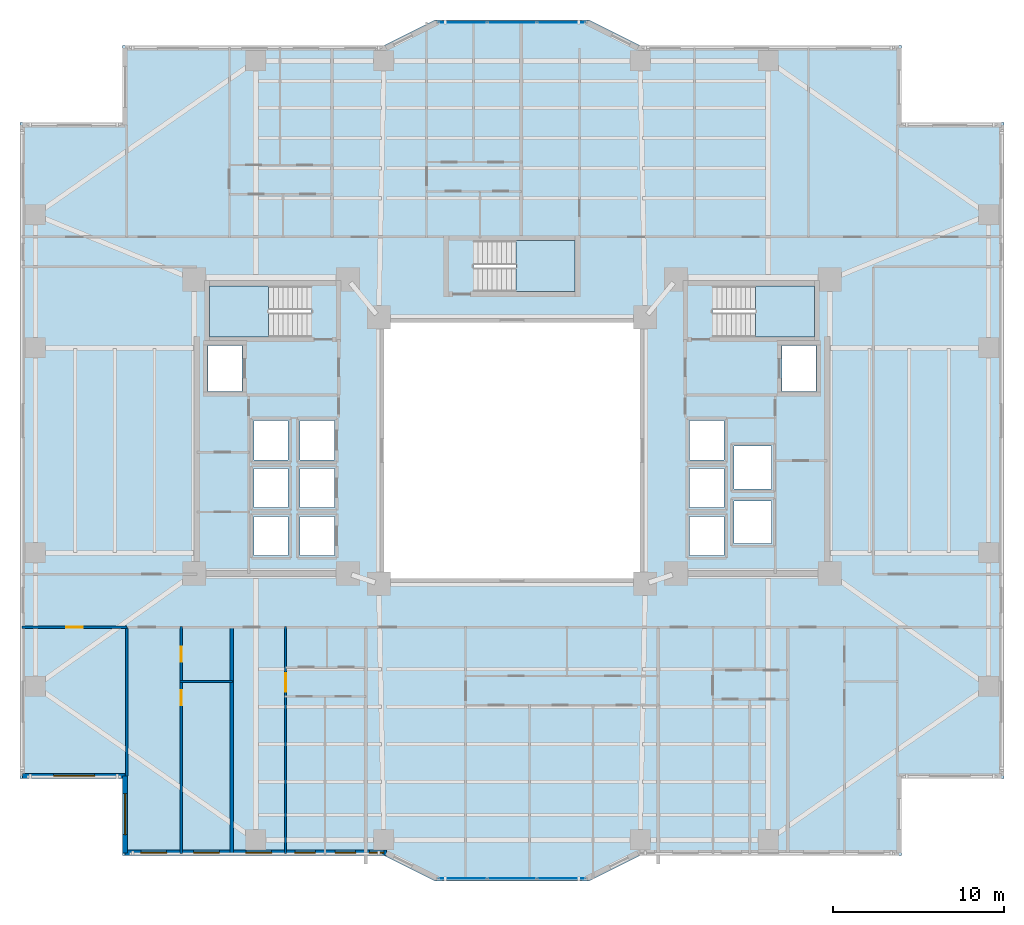
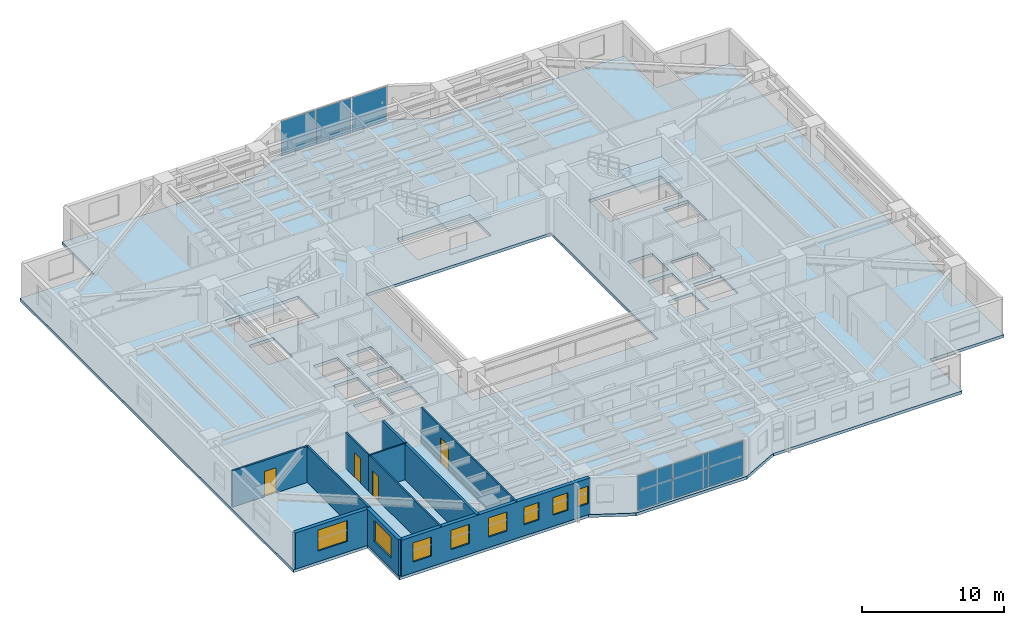
# One storey, part 9 of 21: 10 walls, 8 windows, 6 plates, 4 doors, 4 slabs, 12 openings, 5 elements without a shape of their own.
"""IFC4 building model written with IfcOpenShell, lengths in metres."""

from ifc_helpers import new_model, si_unit, direction, frame, frame_2d, origin, origin_2d, place, context, subcontext, project, spatial, polyline, rectangle, outline, extrude, material, layer, layer_set, type_object, element, fill, aggregate, save


model = new_model("IFC4")

# Units and contexts
model_context = context("Model", 3, precision=1e-05, world=origin(), true_north=direction((0.0, 1.0)))
body_context = subcontext(model_context, "Body", "Model", "MODEL_VIEW")
ifc_project = project(units=[si_unit("LENGTHUNIT", "METRE"), si_unit("AREAUNIT", "SQUARE_METRE"), si_unit("VOLUMEUNIT", "CUBIC_METRE"), si_unit("PLANEANGLEUNIT", "RADIAN"), si_unit("MASSUNIT", "GRAM", prefix="KILO")], contexts=[model_context])

# Site, building, storey
site_placement = place(None, origin())
site = spatial("IfcSite", under=ifc_project, at=site_placement, CompositionType="ELEMENT")
building_placement = place(site_placement, origin())
building = spatial("IfcBuilding", under=site, at=building_placement, Name="Tarnavaz Court Tower", CompositionType="ELEMENT")
storey_placement = place(building_placement, frame((0.0, 0.0, 40.75)))
storey = spatial("IfcBuildingStorey", under=building, at=storey_placement, Name="L10", CompositionType="ELEMENT", Elevation=40.75)

# Curtain wall, plates
ifc_material_1 = material(Name="Anodised Aluminium 6063-T6 and Solar Low-E Glazing", Category="aluminium")
ifc_layer_1 = layer(ifc_material_1, 0.179931640625)
ifc_layer_set_1 = layer_set([ifc_layer_1], Name="Anodised Aluminium 6063-T6 and Solar Low-E Glazing")
curtain_wall_type = type_object("IfcCurtainWallType", Name="CW-SYS-02", PredefinedType="NOTDEFINED", material=ifc_layer_set_1)
curtain_wall_1_placement = place(storey_placement, origin())
curtain_wall_1 = element("IfcCurtainWall", 1, at=curtain_wall_1_placement, inside=storey, type_object=curtain_wall_type, Name="L10 Iwan Prow Curtain Wall 7", PredefinedType="NOTDEFINED")
ifc_material_2 = material(Name="Double-Glazed Solar Low-E Glass", Category="glass")
ifc_layer_2 = layer(ifc_material_2, 0.028076171875)
ifc_layer_set_2 = layer_set([ifc_layer_2], Name="Double-Glazed Solar Low-E Glass")
plate_type = type_object("IfcPlateType", Name="CW-PAN-GLZ28", PredefinedType="CURTAIN_PANEL", material=ifc_layer_set_2)
plate_1_placement = place(storey_placement, frame((-2.88134765625, 25.050048828125, 0.06494140625), z_axis=(0.0, 0.0, 1.0), x_axis=(1.0, 0.0, 0.0)))
plate_1 = element("IfcPlate", 2, at=plate_1_placement, type_object=plate_type, Name="CW panel 1.1", PredefinedType="CURTAIN_PANEL", context=body_context, shape_type="SweptSolid", body=[
    extrude(rectangle(XDim=2.78759765625, YDim=0.028076171875, at=origin_2d()), origin(), (0.0, 0.0, 1.0), 2.969970703125),
])
plate_2_placement = place(storey_placement, frame((0.0, 25.050048828125, 0.06494140625), z_axis=(0.0, 0.0, 1.0), x_axis=(1.0, 0.0, 0.0)))
plate_2 = element("IfcPlate", 3, at=plate_2_placement, type_object=plate_type, Name="CW panel 2.1", PredefinedType="CURTAIN_PANEL", context=body_context, shape_type="SweptSolid", body=[
    extrude(rectangle(XDim=2.824951171875, YDim=0.028076171875, at=origin_2d()), origin(), (0.0, 0.0, 1.0), 2.969970703125),
])
plate_3_placement = place(storey_placement, frame((2.88134765625, 25.050048828125, 0.06494140625), z_axis=(0.0, 0.0, 1.0), x_axis=(1.0, 0.0, 0.0)))
plate_3 = element("IfcPlate", 4, at=plate_3_placement, type_object=plate_type, Name="CW panel 3.1", PredefinedType="CURTAIN_PANEL", context=body_context, shape_type="SweptSolid", body=[
    extrude(rectangle(XDim=2.78759765625, YDim=0.028076171875, at=origin_2d()), origin(), (0.0, 0.0, 1.0), 2.969970703125),
])
aggregate(curtain_wall_1, [plate_1, plate_2, plate_3])

curtain_wall_2_placement = place(storey_placement, origin())
curtain_wall_2 = element("IfcCurtainWall", 5, at=curtain_wall_2_placement, inside=storey, type_object=curtain_wall_type, Name="L10 Iwan Prow Curtain Wall 17", PredefinedType="NOTDEFINED")
plate_4_placement = place(storey_placement, frame((2.88134765625, -25.050048828125, 0.06494140625), z_axis=(0.0, 0.0, 1.0), x_axis=(-1.0, 0.0, 0.0)))
plate_4 = element("IfcPlate", 6, at=plate_4_placement, type_object=plate_type, Name="CW panel 1.1", PredefinedType="CURTAIN_PANEL", context=body_context, shape_type="SweptSolid", body=[
    extrude(rectangle(XDim=2.78759765625, YDim=0.028076171875, at=origin_2d()), origin(), (0.0, 0.0, 1.0), 2.969970703125),
])
plate_5_placement = place(storey_placement, frame((0.0, -25.050048828125, 0.06494140625), z_axis=(0.0, 0.0, 1.0), x_axis=(-1.0, 0.0, 0.0)))
plate_5 = element("IfcPlate", 7, at=plate_5_placement, type_object=plate_type, Name="CW panel 2.1", PredefinedType="CURTAIN_PANEL", context=body_context, shape_type="SweptSolid", body=[
    extrude(rectangle(XDim=2.824951171875, YDim=0.028076171875, at=origin_2d()), origin(), (0.0, 0.0, 1.0), 2.969970703125),
])
plate_6_placement = place(storey_placement, frame((-2.88134765625, -25.050048828125, 0.06494140625), z_axis=(0.0, 0.0, 1.0), x_axis=(-1.0, 0.0, 0.0)))
plate_6 = element("IfcPlate", 8, at=plate_6_placement, type_object=plate_type, Name="CW panel 3.1", PredefinedType="CURTAIN_PANEL", context=body_context, shape_type="SweptSolid", body=[
    extrude(rectangle(XDim=2.78759765625, YDim=0.028076171875, at=origin_2d()), origin(), (0.0, 0.0, 1.0), 2.969970703125),
])
aggregate(curtain_wall_2, [plate_4, plate_5, plate_6])

# Stair, slab
ifc_material_3 = material(Name="Concrete C40/50", Category="concrete")
stair_type = type_object("IfcStairType", Name="ST-TWR-20R", PredefinedType="HALF_TURN_STAIR", material=ifc_material_3)
stair_1_placement = place(storey_placement, origin())
stair_1 = element("IfcStair", 9, at=stair_1_placement, inside=storey, type_object=stair_type, Name="L10 West Core Pressurized Exit Stair ST-W1", PredefinedType="HALF_TURN_STAIR")
ifc_layer_3 = layer(ifc_material_3, 0.199951171875)
ifc_layer_set_3 = layer_set([ifc_layer_3], Name="Concrete C40/50")
slab_type_1 = type_object("IfcSlabType", Name="SL-LAND-200", PredefinedType="LANDING", material=ifc_layer_set_3)
slab_1_placement = place(storey_placement, frame((0.0, 0.0, 1.47509765625)))
slab_1 = element("IfcSlab", 10, at=slab_1_placement, type_object=slab_type_1, Name="ST-W1 landing 1", PredefinedType="LANDING", context=body_context, shape_type="SweptSolid", body=[
    extrude(outline(polyline([(-14.239990234375, 9.639892578125), (-17.699951171875, 9.639892578125), (-17.699951171875, 6.64990234375), (-14.239990234375, 6.64990234375), (-14.239990234375, 9.639892578125)])), origin(), (0.0, 0.0, 1.0), 0.199951171875),
])
aggregate(stair_1, [slab_1])

stair_2_placement = place(storey_placement, origin())
stair_2 = element("IfcStair", 11, at=stair_2_placement, inside=storey, type_object=stair_type, Name="L10 East Core Pressurized Exit Stair ST-E1", PredefinedType="HALF_TURN_STAIR")
slab_2_placement = place(storey_placement, frame((0.0, 0.0, 1.47509765625)))
slab_2 = element("IfcSlab", 12, at=slab_2_placement, type_object=slab_type_1, Name="ST-E1 landing 1", PredefinedType="LANDING", context=body_context, shape_type="SweptSolid", body=[
    extrude(outline(polyline([(14.239990234375, 6.64990234375), (17.699951171875, 6.64990234375), (17.699951171875, 9.639892578125), (14.239990234375, 9.639892578125), (14.239990234375, 6.64990234375)])), origin(), (0.0, 0.0, 1.0), 0.199951171875),
])
aggregate(stair_2, [slab_2])

stair_3_placement = place(storey_placement, origin())
stair_3 = element("IfcStair", 13, at=stair_3_placement, inside=storey, type_object=stair_type, Name="L10 North Ring Pressurized Exit Stair ST-N1", PredefinedType="HALF_TURN_STAIR")
slab_3_placement = place(storey_placement, frame((0.0, 0.0, 1.47509765625)))
slab_3 = element("IfcSlab", 14, at=slab_3_placement, type_object=slab_type_1, Name="ST-N1 landing 1", PredefinedType="LANDING", context=body_context, shape_type="SweptSolid", body=[
    extrude(outline(polyline([(0.239990234375, 9.300048828125), (3.699951171875, 9.300048828125), (3.699951171875, 12.2900390625), (0.239990234375, 12.2900390625), (0.239990234375, 9.300048828125)])), origin(), (0.0, 0.0, 1.0), 0.199951171875),
])
aggregate(stair_3, [slab_3])

# Slab
ifc_layer_4 = layer(ifc_material_3, 0.25)
ifc_layer_set_4 = layer_set([ifc_layer_4], Name="Concrete C40/50")
slab_type_2 = type_object("IfcSlabType", Name="SL-RES-250", PredefinedType="FLOOR", material=ifc_layer_set_4)
slab_4_placement = place(storey_placement, frame((0.0, 0.0, -0.25)))
element("IfcSlab", 15, at=slab_4_placement, inside=storey, type_object=slab_type_2, Name="L10 Structural Floor Slab", PredefinedType="FLOOR", context=body_context, shape_type="SweptSolid", body=[
    extrude(outline(polyline([(-22.800048828125, -23.699951171875), (-7.5, -23.699951171875), (-4.5, -25.199951171875), (4.5, -25.199951171875), (7.5, -23.699951171875), (22.800048828125, -23.699951171875), (22.800048828125, -19.199951171875), (28.800048828125, -19.199951171875), (28.800048828125, 19.199951171875), (22.800048828125, 19.199951171875), (22.800048828125, 23.699951171875), (7.5, 23.699951171875), (4.5, 25.199951171875), (-4.5, 25.199951171875), (-7.5, 23.699951171875), (-22.800048828125, 23.699951171875), (-22.800048828125, 19.199951171875), (-28.800048828125, 19.199951171875), (-28.800048828125, -19.199951171875), (-22.800048828125, -19.199951171875), (-22.800048828125, -23.699951171875)]), holes=[polyline([(-7.5, -7.5), (7.5, -7.5), (7.5, 7.5), (-7.5, 7.5), (-7.5, -7.5)]), polyline([(-11.7451171875, 9.639892578125), (-17.699951171875, 9.639892578125), (-17.699951171875, 6.64990234375), (-11.7451171875, 6.64990234375), (-11.7451171875, 9.639892578125)]), polyline([(11.7451171875, 6.64990234375), (17.699951171875, 6.64990234375), (17.699951171875, 9.639892578125), (11.7451171875, 9.639892578125), (11.7451171875, 6.64990234375)]), polyline([(-2.2548828125, 9.300048828125), (3.699951171875, 9.300048828125), (3.699951171875, 12.2900390625), (-2.2548828125, 12.2900390625), (-2.2548828125, 9.300048828125)]), polyline([(-17.800048828125, 3.449951171875), (-15.800048828125, 3.449951171875), (-15.800048828125, 6.14990234375), (-17.800048828125, 6.14990234375), (-17.800048828125, 3.449951171875)]), polyline([(-12.39990234375, -6.14990234375), (-10.39990234375, -6.14990234375), (-10.39990234375, -3.85009765625), (-12.39990234375, -3.85009765625), (-12.39990234375, -6.14990234375)]), polyline([(-12.39990234375, -3.35009765625), (-10.39990234375, -3.35009765625), (-10.39990234375, -1.050048828125), (-12.39990234375, -1.050048828125), (-12.39990234375, -3.35009765625)]), polyline([(-12.39990234375, -0.550048828125), (-10.39990234375, -0.550048828125), (-10.39990234375, 1.75), (-12.39990234375, 1.75), (-12.39990234375, -0.550048828125)]), polyline([(-15.10009765625, -6.14990234375), (-13.10009765625, -6.14990234375), (-13.10009765625, -3.85009765625), (-15.10009765625, -3.85009765625), (-15.10009765625, -6.14990234375)]), polyline([(-15.10009765625, -3.35009765625), (-13.10009765625, -3.35009765625), (-13.10009765625, -1.050048828125), (-15.10009765625, -1.050048828125), (-15.10009765625, -3.35009765625)]), polyline([(-15.10009765625, -0.550048828125), (-13.10009765625, -0.550048828125), (-13.10009765625, 1.75), (-15.10009765625, 1.75), (-15.10009765625, -0.550048828125)]), polyline([(15.800048828125, 3.449951171875), (17.800048828125, 3.449951171875), (17.800048828125, 6.14990234375), (15.800048828125, 6.14990234375), (15.800048828125, 3.449951171875)]), polyline([(10.39990234375, -6.14990234375), (12.39990234375, -6.14990234375), (12.39990234375, -3.85009765625), (10.39990234375, -3.85009765625), (10.39990234375, -6.14990234375)]), polyline([(10.39990234375, -3.35009765625), (12.39990234375, -3.35009765625), (12.39990234375, -1.050048828125), (10.39990234375, -1.050048828125), (10.39990234375, -3.35009765625)]), polyline([(10.39990234375, -0.550048828125), (12.39990234375, -0.550048828125), (12.39990234375, 1.75), (10.39990234375, 1.75), (10.39990234375, -0.550048828125)]), polyline([(13.0, -5.449951171875), (15.199951171875, -5.449951171875), (15.199951171875, -2.949951171875), (13.0, -2.949951171875), (13.0, -5.449951171875)]), polyline([(13.0, -2.25), (15.199951171875, -2.25), (15.199951171875, 0.25), (13.0, 0.25), (13.0, -2.25)])]), origin(), (0.0, 0.0, 1.0), 0.25),
])

# Wall, opening, window
ifc_material_4 = material(Name="Precast Concrete C40/50", Category="concrete")
ifc_layer_5 = layer(ifc_material_4, 0.300048828125)
ifc_layer_set_5 = layer_set([ifc_layer_5], Name="Precast Concrete C40/50")
wall_type_1 = type_object("IfcWallType", Name="WL-EXT-300", PredefinedType="SOLIDWALL", material=ifc_layer_set_5)
wall_1_placement = place(storey_placement, frame((-22.64990234375, -19.050048828125, 0.0), z_axis=(0.0, 0.0, 1.0), x_axis=(-1.0, 0.0, 0.0)))
wall_1 = element("IfcWall", 16, at=wall_1_placement, inside=storey, type_object=wall_type_1, Name="L10 Exterior Terracotta Facade Wall 01", PredefinedType="SOLIDWALL", context=body_context, shape_type="SweptSolid", body=[
    extrude(rectangle(XDim=6.0, YDim=0.300048828125, at=frame_2d((3.0, 0.0))), origin(), (0.0, 0.0, 1.0), 3.10009765625),
])
opening_1_placement = place(wall_1_placement, frame((1.77490234375, 0.0, 0.89990234375)))
opening_1 = element("IfcOpeningElement", 17, at=opening_1_placement, cuts=wall_1, Name="Opening W06", PredefinedType="OPENING", context=body_context, shape_type="SweptSolid", body=[
    extrude(rectangle(XDim=2.39990234375, YDim=1.800048828125, at=frame_2d((1.199951171875, 0.89990234375))), frame((0.0, 0.159912109375, 0.0), z_axis=(0.0, -1.0, 0.0), x_axis=(1.0, 0.0, 0.0)), (0.0, 0.0, 1.0), 0.320068359375),
])
window_type_1 = type_object("IfcWindowType", Name="WN-APT-2400", PartitioningType="TRIPLE_PANEL_VERTICAL", PredefinedType="WINDOW", material=ifc_material_2)
window_1_placement = place(opening_1_placement, origin())
window_1 = element("IfcWindow", 18, at=window_1_placement, inside=storey, type_object=window_type_1, Name="L10 South-West Corner Reading Room Window", OverallHeight=1.800048828125, OverallWidth=2.39990234375, PartitioningType="SINGLE_PANEL", PredefinedType="WINDOW", context=body_context, shape_type="SweptSolid", body=[
    extrude(rectangle(XDim=2.39990234375, YDim=1.800048828125, at=frame_2d((1.199951171875, 0.89990234375))), frame((0.0, 0.030029296875, 0.0), z_axis=(0.0, -1.0, 0.0), x_axis=(1.0, 0.0, 0.0)), (0.0, 0.0, 1.0), 0.06005859375),
])
fill(opening_1, window_1)

# Wall, openings, windows
wall_2_placement = place(storey_placement, frame((-7.35009765625, -23.550048828125, 0.0), z_axis=(0.0, 0.0, 1.0), x_axis=(-1.0, 0.0, 0.0)))
wall_2 = element("IfcWall", 19, at=wall_2_placement, inside=storey, type_object=wall_type_1, Name="L10 Exterior Terracotta Facade Wall 19", PredefinedType="SOLIDWALL", context=body_context, shape_type="SweptSolid", body=[
    extrude(rectangle(XDim=15.2998046875, YDim=0.300048828125, at=frame_2d((7.64990234375, 0.0))), origin(), (0.0, 0.0, 1.0), 3.10009765625),
])
opening_2_placement = place(wall_2_placement, frame((0.146728515625, 0.0, 0.949951171875)))
opening_2 = element("IfcOpeningElement", 20, at=opening_2_placement, cuts=wall_2, Name="Opening W15", PredefinedType="OPENING", context=body_context, shape_type="SweptSolid", body=[
    extrude(rectangle(XDim=0.85009765625, YDim=1.5, at=frame_2d((0.425048828125, 0.75))), frame((0.0, 0.159912109375, 0.0), z_axis=(0.0, -1.0, 0.0), x_axis=(1.0, 0.0, 0.0)), (0.0, 0.0, 1.0), 0.320068359375),
])
opening_3_placement = place(wall_2_placement, frame((1.807861328125, 0.0, 0.949951171875)))
opening_3 = element("IfcOpeningElement", 21, at=opening_3_placement, cuts=wall_2, Name="Opening W05", PredefinedType="OPENING", context=body_context, shape_type="SweptSolid", body=[
    extrude(rectangle(XDim=1.199951171875, YDim=1.5, at=frame_2d((0.60009765625, 0.75))), frame((0.0, 0.159912109375, 0.0), z_axis=(0.0, -1.0, 0.0), x_axis=(1.0, 0.0, 0.0)), (0.0, 0.0, 1.0), 0.320068359375),
])
opening_4_placement = place(wall_2_placement, frame((4.154052734375, 0.0, 0.949951171875)))
opening_4 = element("IfcOpeningElement", 22, at=opening_4_placement, cuts=wall_2, Name="Opening W05", PredefinedType="OPENING", context=body_context, shape_type="SweptSolid", body=[
    extrude(rectangle(XDim=1.199951171875, YDim=1.5, at=frame_2d((0.60009765625, 0.75))), frame((0.0, 0.159912109375, 0.0), z_axis=(0.0, -1.0, 0.0), x_axis=(1.0, 0.0, 0.0)), (0.0, 0.0, 1.0), 0.320068359375),
])
opening_5_placement = place(wall_2_placement, frame((6.724365234375, 0.0, 0.89990234375)))
opening_5 = element("IfcOpeningElement", 23, at=opening_5_placement, cuts=wall_2, Name="Opening W03", PredefinedType="OPENING", context=body_context, shape_type="SweptSolid", body=[
    extrude(rectangle(XDim=1.5, YDim=1.64990234375, at=frame_2d((0.75, 0.824951171875))), frame((0.0, 0.159912109375, 0.0), z_axis=(0.0, -1.0, 0.0), x_axis=(1.0, 0.0, 0.0)), (0.0, 0.0, 1.0), 0.320068359375),
])
opening_6_placement = place(wall_2_placement, frame((9.784423828125, 0.0, 0.89990234375)))
opening_6 = element("IfcOpeningElement", 24, at=opening_6_placement, cuts=wall_2, Name="Opening W03", PredefinedType="OPENING", context=body_context, shape_type="SweptSolid", body=[
    extrude(rectangle(XDim=1.5, YDim=1.64990234375, at=frame_2d((0.75, 0.824951171875))), frame((0.0, 0.159912109375, 0.0), z_axis=(0.0, -1.0, 0.0), x_axis=(1.0, 0.0, 0.0)), (0.0, 0.0, 1.0), 0.320068359375),
])
opening_7_placement = place(wall_2_placement, frame((12.869384765625, 0.0, 0.89990234375)))
opening_7 = element("IfcOpeningElement", 25, at=opening_7_placement, cuts=wall_2, Name="Opening W03", PredefinedType="OPENING", context=body_context, shape_type="SweptSolid", body=[
    extrude(rectangle(XDim=1.5, YDim=1.64990234375, at=frame_2d((0.75, 0.824951171875))), frame((0.0, 0.159912109375, 0.0), z_axis=(0.0, -1.0, 0.0), x_axis=(1.0, 0.0, 0.0)), (0.0, 0.0, 1.0), 0.320068359375),
])
window_type_2 = type_object("IfcWindowType", Name="WN-APT-1200", PartitioningType="SINGLE_PANEL", PredefinedType="WINDOW", material=ifc_material_2)
window_2_placement = place(opening_3_placement, origin())
window_2 = element("IfcWindow", 26, at=window_2_placement, inside=storey, type_object=window_type_2, Name="L10 Flat 04 Bedroom 2 Window", OverallHeight=1.5, OverallWidth=1.199951171875, PartitioningType="SINGLE_PANEL", PredefinedType="WINDOW", context=body_context, shape_type="SweptSolid", body=[
    extrude(rectangle(XDim=1.199951171875, YDim=1.5, at=frame_2d((0.60009765625, 0.75))), frame((0.0, 0.030029296875, 0.0), z_axis=(0.0, -1.0, 0.0), x_axis=(1.0, 0.0, 0.0)), (0.0, 0.0, 1.0), 0.06005859375),
])
fill(opening_3, window_2)
window_3_placement = place(opening_4_placement, origin())
window_3 = element("IfcWindow", 27, at=window_3_placement, inside=storey, type_object=window_type_2, Name="L10 Flat 04 Principal Bedroom Window", OverallHeight=1.5, OverallWidth=1.199951171875, PartitioningType="SINGLE_PANEL", PredefinedType="WINDOW", context=body_context, shape_type="SweptSolid", body=[
    extrude(rectangle(XDim=1.199951171875, YDim=1.5, at=frame_2d((0.60009765625, 0.75))), frame((0.0, 0.030029296875, 0.0), z_axis=(0.0, -1.0, 0.0), x_axis=(1.0, 0.0, 0.0)), (0.0, 0.0, 1.0), 0.06005859375),
])
fill(opening_4, window_3)
window_type_3 = type_object("IfcWindowType", Name="WN-APT-1500", PartitioningType="DOUBLE_PANEL_VERTICAL", PredefinedType="WINDOW", material=ifc_material_2)
window_4_placement = place(opening_5_placement, origin())
window_4 = element("IfcWindow", 28, at=window_4_placement, inside=storey, type_object=window_type_3, Name="L10 Flat 04 Living and Dining Room Window", OverallHeight=1.64990234375, OverallWidth=1.5, PartitioningType="SINGLE_PANEL", PredefinedType="WINDOW", context=body_context, shape_type="SweptSolid", body=[
    extrude(rectangle(XDim=1.5, YDim=1.64990234375, at=frame_2d((0.75, 0.824951171875))), frame((0.0, 0.030029296875, 0.0), z_axis=(0.0, -1.0, 0.0), x_axis=(1.0, 0.0, 0.0)), (0.0, 0.0, 1.0), 0.06005859375),
])
fill(opening_5, window_4)
window_5_placement = place(opening_6_placement, origin())
window_5 = element("IfcWindow", 29, at=window_5_placement, inside=storey, type_object=window_type_3, Name="L10 Flat 03 Kitchen Window", OverallHeight=1.64990234375, OverallWidth=1.5, PartitioningType="SINGLE_PANEL", PredefinedType="WINDOW", context=body_context, shape_type="SweptSolid", body=[
    extrude(rectangle(XDim=1.5, YDim=1.64990234375, at=frame_2d((0.75, 0.824951171875))), frame((0.0, 0.030029296875, 0.0), z_axis=(0.0, -1.0, 0.0), x_axis=(1.0, 0.0, 0.0)), (0.0, 0.0, 1.0), 0.06005859375),
])
fill(opening_6, window_5)
window_6_placement = place(opening_7_placement, origin())
window_6 = element("IfcWindow", 30, at=window_6_placement, inside=storey, type_object=window_type_3, Name="L10 Flat 03 Studio Living and Sleeping Room Window", OverallHeight=1.64990234375, OverallWidth=1.5, PartitioningType="SINGLE_PANEL", PredefinedType="WINDOW", context=body_context, shape_type="SweptSolid", body=[
    extrude(rectangle(XDim=1.5, YDim=1.64990234375, at=frame_2d((0.75, 0.824951171875))), frame((0.0, 0.030029296875, 0.0), z_axis=(0.0, -1.0, 0.0), x_axis=(1.0, 0.0, 0.0)), (0.0, 0.0, 1.0), 0.06005859375),
])
fill(opening_7, window_6)
window_type_4 = type_object("IfcWindowType", Name="WN-APT-850", PartitioningType="SINGLE_PANEL", PredefinedType="WINDOW", material=ifc_material_2)
window_7_placement = place(opening_2_placement, origin())
window_7 = element("IfcWindow", 31, at=window_7_placement, inside=storey, type_object=window_type_4, Name="L10 Flat 07 Living and Dining Room Window", OverallHeight=1.5, OverallWidth=0.85009765625, PartitioningType="SINGLE_PANEL", PredefinedType="WINDOW", context=body_context, shape_type="SweptSolid", body=[
    extrude(rectangle(XDim=0.85009765625, YDim=1.5, at=frame_2d((0.425048828125, 0.75))), frame((0.0, 0.030029296875, 0.0), z_axis=(0.0, -1.0, 0.0), x_axis=(1.0, 0.0, 0.0)), (0.0, 0.0, 1.0), 0.06005859375),
])
fill(opening_2, window_7)

# Wall, opening, window
wall_3_placement = place(storey_placement, frame((-22.64990234375, -23.550048828125, 0.0), z_axis=(0.0, 0.0, 1.0), x_axis=(0.0, 1.0, 0.0)))
wall_3 = element("IfcWall", 32, at=wall_3_placement, inside=storey, type_object=wall_type_1, Name="L10 Exterior Terracotta Facade Wall 20", PredefinedType="SOLIDWALL", context=body_context, shape_type="SweptSolid", body=[
    extrude(rectangle(XDim=4.5, YDim=0.300048828125, at=frame_2d((2.25, 0.0))), origin(), (0.0, 0.0, 1.0), 3.10009765625),
])
opening_8_placement = place(wall_3_placement, frame((1.0673828125, 0.0, 0.89990234375)))
opening_8 = element("IfcOpeningElement", 33, at=opening_8_placement, cuts=wall_3, Name="Opening W06", PredefinedType="OPENING", context=body_context, shape_type="SweptSolid", body=[
    extrude(rectangle(XDim=2.39990234375, YDim=1.800048828125, at=frame_2d((1.199951171875, 0.89990234375))), frame((0.0, 0.159912109375, 0.0), z_axis=(0.0, -1.0, 0.0), x_axis=(1.0, 0.0, 0.0)), (0.0, 0.0, 1.0), 0.320068359375),
])
window_8_placement = place(opening_8_placement, origin())
window_8 = element("IfcWindow", 34, at=window_8_placement, inside=storey, type_object=window_type_1, Name="L10 Flat 03 Studio Living and Sleeping Room Window", OverallHeight=1.800048828125, OverallWidth=2.39990234375, PartitioningType="SINGLE_PANEL", PredefinedType="WINDOW", context=body_context, shape_type="SweptSolid", body=[
    extrude(rectangle(XDim=2.39990234375, YDim=1.800048828125, at=frame_2d((1.199951171875, 0.89990234375))), frame((0.0, 0.030029296875, 0.0), z_axis=(0.0, -1.0, 0.0), x_axis=(1.0, 0.0, 0.0)), (0.0, 0.0, 1.0), 0.06005859375),
])
fill(opening_8, window_8)

# Wall, opening, door
ifc_material_5 = material(Name="Gypsum Fire-Board on Acoustic Metal Stud", Category="masonry")
ifc_layer_6 = layer(ifc_material_5, 0.14990234375)
ifc_layer_set_6 = layer_set([ifc_layer_6], Name="Gypsum Fire-Board on Acoustic Metal Stud")
wall_type_2 = type_object("IfcWallType", Name="WL-FIRE-150", PredefinedType="PARTITIONING", material=ifc_layer_set_6)
wall_4_placement = place(storey_placement, frame((-28.679931640625, -10.35009765625, 0.0), z_axis=(0.0, 0.0, 1.0), x_axis=(1.0, 0.0, 0.0)))
wall_4 = element("IfcWall", 35, at=wall_4_placement, inside=storey, type_object=wall_type_2, Name="L10 Interior Partition 144", PredefinedType="PARTITIONING", context=body_context, shape_type="SweptSolid", body=[
    extrude(rectangle(XDim=6.1298828125, YDim=0.14990234375, at=frame_2d((3.06494140625, 0.0))), origin(), (0.0, 0.0, 1.0), 3.10009765625),
])
opening_9_placement = place(wall_4_placement, frame((2.590087890625, 0.0, 0.0)))
opening_9 = element("IfcOpeningElement", 36, at=opening_9_placement, cuts=wall_4, Name="Opening D13", PredefinedType="OPENING", context=body_context, shape_type="SweptSolid", body=[
    extrude(rectangle(XDim=0.949951171875, YDim=2.14990234375, at=frame_2d((0.47509765625, 1.074951171875))), frame((0.0, 0.0849609375, 0.0), z_axis=(0.0, -1.0, 0.0), x_axis=(1.0, 0.0, 0.0)), (0.0, 0.0, 1.0), 0.169921875),
])
ifc_material_6 = material(Name="Engineered Oak Timber", Category="wood")
door_type_1 = type_object("IfcDoorType", Name="DR-INT-950", OperationType="NOTDEFINED", PredefinedType="DOOR", material=ifc_material_6)
door_1_placement = place(opening_9_placement, origin())
door_1 = element("IfcDoor", 37, at=door_1_placement, inside=storey, type_object=door_type_1, Name="L10 SW Reading Room Door", OperationType="SINGLE_SWING_LEFT", OverallHeight=2.14990234375, OverallWidth=0.949951171875, PredefinedType="DOOR", context=body_context, shape_type="SweptSolid", body=[
    extrude(rectangle(XDim=0.949951171875, YDim=2.14990234375, at=frame_2d((0.47509765625, 1.074951171875))), frame((0.0, 0.02490234375, 0.0), z_axis=(0.0, -1.0, 0.0), x_axis=(1.0, 0.0, 0.0)), (0.0, 0.0, 1.0), 0.050048828125),
])
fill(opening_9, door_1)

# Wall
ifc_material_7 = material(Name="Autoclaved Aerated Concrete Blockwork", Category="masonry")
ifc_layer_7 = layer(ifc_material_7, 0.199951171875)
ifc_layer_set_7 = layer_set([ifc_layer_7], Name="Autoclaved Aerated Concrete Blockwork")
wall_type_3 = type_object("IfcWallType", Name="WL-FIRE-200", PredefinedType="SOLIDWALL", material=ifc_layer_set_7)
wall_5_placement = place(storey_placement, frame((-16.412109375, -23.60009765625, 0.0), z_axis=(0.0, 0.0, 1.0), x_axis=(0.0, 1.0, 0.0)))
element("IfcWall", 38, at=wall_5_placement, inside=storey, type_object=wall_type_3, Name="L10 Party Wall 105", PredefinedType="SOLIDWALL", context=body_context, shape_type="SweptSolid", body=[
    extrude(rectangle(XDim=13.25, YDim=0.199951171875, at=frame_2d((6.625, 0.0))), origin(), (0.0, 0.0, 1.0), 3.10009765625),
])

# Wall, opening, door
ifc_material_8 = material(Name="Moisture-Resistant Gypsum Board Partition", Category="masonry")
ifc_layer_8 = layer(ifc_material_8, 0.1201171875)
ifc_layer_set_8 = layer_set([ifc_layer_8], Name="Moisture-Resistant Gypsum Board Partition")
wall_type_4 = type_object("IfcWallType", Name="WL-PART-120", PredefinedType="PARTITIONING", material=ifc_layer_set_8)
wall_6_placement = place(storey_placement, frame((-19.361083984375, -23.60009765625, 0.0), z_axis=(0.0, 0.0, 1.0), x_axis=(0.0, 1.0, 0.0)))
wall_6 = element("IfcWall", 39, at=wall_6_placement, inside=storey, type_object=wall_type_4, Name="L10 Interior Partition 106", PredefinedType="PARTITIONING", context=body_context, shape_type="SweptSolid", body=[
    extrude(rectangle(XDim=10.090087890625, YDim=0.1201171875, at=frame_2d((5.044921875, 0.0))), origin(), (0.0, 0.0, 1.0), 3.10009765625),
])
opening_10_placement = place(wall_6_placement, frame((8.68994140625, 0.0, 0.0)))
opening_10 = element("IfcOpeningElement", 40, at=opening_10_placement, cuts=wall_6, Name="Opening D14", PredefinedType="OPENING", context=body_context, shape_type="SweptSolid", body=[
    extrude(rectangle(XDim=0.8798828125, YDim=2.10009765625, at=frame_2d((0.43994140625, 1.050048828125))), frame((0.0, 0.070068359375, 0.0), z_axis=(0.0, -1.0, 0.0), x_axis=(1.0, 0.0, 0.0)), (0.0, 0.0, 1.0), 0.14013671875),
])
door_type_2 = type_object("IfcDoorType", Name="DR-INT-900", OperationType="NOTDEFINED", PredefinedType="DOOR", material=ifc_material_6)
door_2_placement = place(opening_10_placement, origin())
door_2 = element("IfcDoor", 41, at=door_2_placement, inside=storey, type_object=door_type_2, Name="L10 Flat 03 Kitchen Door", OperationType="SINGLE_SWING_LEFT", OverallHeight=2.10009765625, OverallWidth=0.8798828125, PredefinedType="DOOR", context=body_context, shape_type="SweptSolid", body=[
    extrude(rectangle(XDim=0.8798828125, YDim=2.10009765625, at=frame_2d((0.43994140625, 1.050048828125))), frame((0.0, 0.02490234375, 0.0), z_axis=(0.0, -1.0, 0.0), x_axis=(1.0, 0.0, 0.0)), (0.0, 0.0, 1.0), 0.050048828125),
])
fill(opening_10, door_2)

wall_7_placement = place(storey_placement, frame((-19.361083984375, -13.510009765625, 0.0), z_axis=(0.0, 0.0, 1.0), x_axis=(0.0, 1.0, 0.0)))
wall_7 = element("IfcWall", 42, at=wall_7_placement, inside=storey, type_object=wall_type_4, Name="L10 Interior Partition 107", PredefinedType="PARTITIONING", context=body_context, shape_type="SweptSolid", body=[
    extrude(rectangle(XDim=3.219970703125, YDim=0.1201171875, at=frame_2d((1.60986328125, 0.0))), origin(), (0.0, 0.0, 1.0), 3.10009765625),
])
opening_11_placement = place(wall_7_placement, frame((1.139892578125, 0.0, 0.0)))
opening_11 = element("IfcOpeningElement", 43, at=opening_11_placement, cuts=wall_7, Name="Opening D14", PredefinedType="OPENING", context=body_context, shape_type="SweptSolid", body=[
    extrude(rectangle(XDim=0.8798828125, YDim=2.10009765625, at=frame_2d((0.43994140625, 1.050048828125))), frame((0.0, 0.070068359375, 0.0), z_axis=(0.0, -1.0, 0.0), x_axis=(1.0, 0.0, 0.0)), (0.0, 0.0, 1.0), 0.14013671875),
])
door_3_placement = place(opening_11_placement, origin())
door_3 = element("IfcDoor", 44, at=door_3_placement, inside=storey, type_object=door_type_2, Name="L10 Flat 03 Bathroom Door", OperationType="SINGLE_SWING_RIGHT", OverallHeight=2.10009765625, OverallWidth=0.8798828125, PredefinedType="DOOR", context=body_context, shape_type="SweptSolid", body=[
    extrude(rectangle(XDim=0.8798828125, YDim=2.10009765625, at=frame_2d((0.43994140625, 1.050048828125))), frame((0.0, 0.02490234375, 0.0), z_axis=(0.0, -1.0, 0.0), x_axis=(1.0, 0.0, 0.0)), (0.0, 0.0, 1.0), 0.050048828125),
])
fill(opening_11, door_3)

# Wall
wall_8_placement = place(storey_placement, frame((-19.4208984375, -13.510009765625, 0.0), z_axis=(0.0, 0.0, 1.0), x_axis=(1.0, 0.0, 0.0)))
element("IfcWall", 45, at=wall_8_placement, inside=storey, type_object=wall_type_4, Name="L10 Interior Partition 108", PredefinedType="PARTITIONING", context=body_context, shape_type="SweptSolid", body=[
    extrude(rectangle(XDim=3.06884765625, YDim=0.1201171875, at=frame_2d((1.534423828125, 0.0))), origin(), (0.0, 0.0, 1.0), 3.10009765625),
])

# Wall, opening, door
wall_9_placement = place(storey_placement, frame((-13.251953125, -23.60009765625, 0.0), z_axis=(0.0, 0.0, 1.0), x_axis=(0.0, 1.0, 0.0)))
wall_9 = element("IfcWall", 46, at=wall_9_placement, inside=storey, type_object=wall_type_4, Name="L10 Interior Partition 109", PredefinedType="PARTITIONING", context=body_context, shape_type="SweptSolid", body=[
    extrude(rectangle(XDim=13.31005859375, YDim=0.1201171875, at=frame_2d((6.655029296875, 0.0))), origin(), (0.0, 0.0, 1.0), 3.10009765625),
])
opening_12_placement = place(wall_9_placement, frame((9.485107421875, 0.0, 0.0)))
opening_12 = element("IfcOpeningElement", 47, at=opening_12_placement, cuts=wall_9, Name="Opening D12", PredefinedType="OPENING", context=body_context, shape_type="SweptSolid", body=[
    extrude(rectangle(XDim=1.080078125, YDim=2.14990234375, at=frame_2d((0.5400390625, 1.074951171875))), frame((0.0, 0.070068359375, 0.0), z_axis=(0.0, -1.0, 0.0), x_axis=(1.0, 0.0, 0.0)), (0.0, 0.0, 1.0), 0.14013671875),
])
door_type_3 = type_object("IfcDoorType", Name="DR-INT-1100", OperationType="NOTDEFINED", PredefinedType="DOOR", material=ifc_material_6)
door_4_placement = place(opening_12_placement, origin())
door_4 = element("IfcDoor", 48, at=door_4_placement, inside=storey, type_object=door_type_3, Name="L10 Flat 04 Foyer Door", OperationType="SINGLE_SWING_RIGHT", OverallHeight=2.14990234375, OverallWidth=1.080078125, PredefinedType="DOOR", context=body_context, shape_type="SweptSolid", body=[
    extrude(rectangle(XDim=1.080078125, YDim=2.14990234375, at=frame_2d((0.5400390625, 1.074951171875))), frame((0.0, 0.02490234375, 0.0), z_axis=(0.0, -1.0, 0.0), x_axis=(1.0, 0.0, 0.0)), (0.0, 0.0, 1.0), 0.050048828125),
])
fill(opening_12, door_4)

# Wall
ifc_material_9 = material(Name="Gypsum Plasterboard Acoustic Partition", Category="masonry")
ifc_layer_9 = layer(ifc_material_9, 0.139892578125)
ifc_layer_set_9 = layer_set([ifc_layer_9], Name="Gypsum Plasterboard Acoustic Partition")
wall_type_5 = type_object("IfcWallType", Name="WL-PART-150", PredefinedType="PARTITIONING", material=ifc_layer_set_9)
wall_10_placement = place(storey_placement, frame((-22.550048828125, -19.050048828125, 0.0), z_axis=(0.0, 0.0, 1.0), x_axis=(0.0, 1.0, 0.0)))
element("IfcWall", 49, at=wall_10_placement, inside=storey, type_object=wall_type_5, Name="L10 Interior Partition 138", PredefinedType="PARTITIONING", context=body_context, shape_type="SweptSolid", body=[
    extrude(rectangle(XDim=8.699951171875, YDim=0.139892578125, at=frame_2d((4.35009765625, 0.0))), origin(), (0.0, 0.0, 1.0), 3.10009765625),
])

save(model, "model.ifc")
